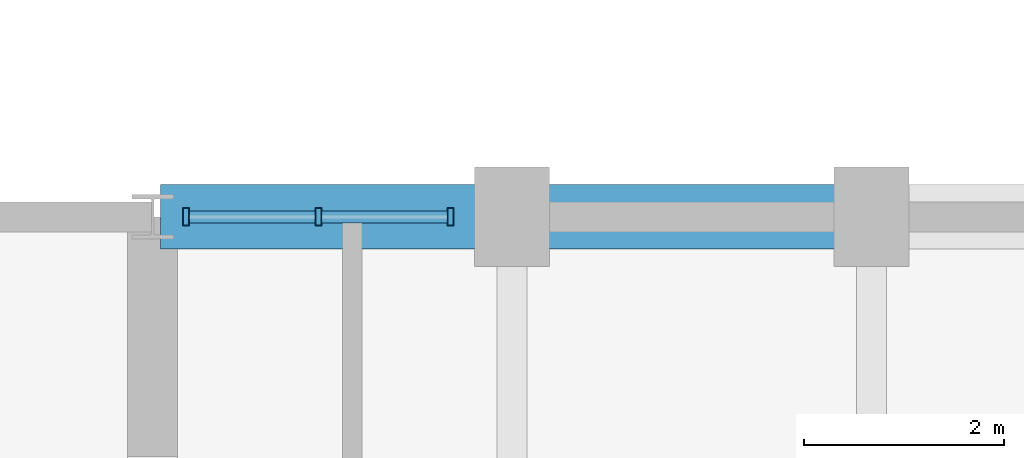
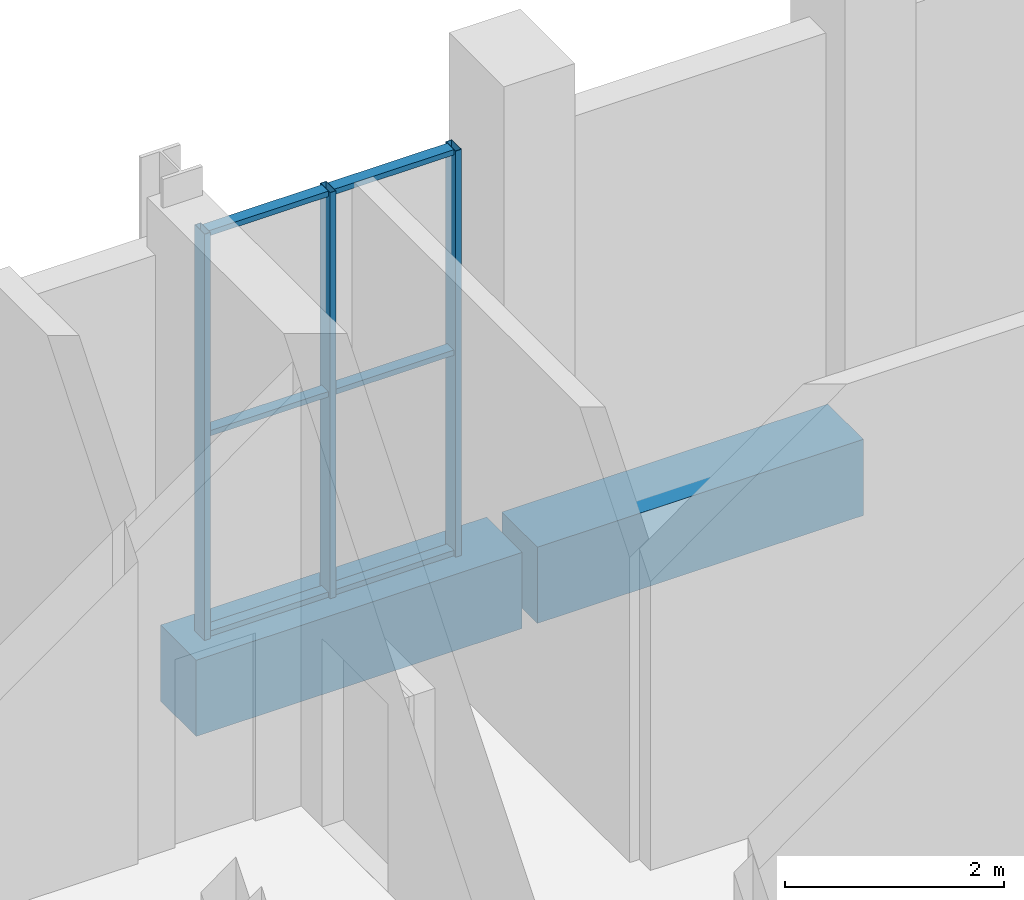
# One storey, part 6 of 19: 9 members, 2 beams, 1 element without a shape of its own.
"""IFC4 building model written with IfcOpenShell, lengths in metres."""

from ifc_helpers import new_model, si_unit, direction, frame, origin, origin_2d, place, context, subcontext, project, spatial, rectangle, hollow_rectangle, extrude, material, layer, layer_set, material_profile, profile_set, type_object, element, aggregate, save


model = new_model("IFC4")

# Units and contexts
model_context = context("Model", 3, precision=1e-05, world=origin(), true_north=direction((0.0, 1.0)))
body_context = subcontext(model_context, "Body", "Model", "MODEL_VIEW")
ifc_project = project(units=[si_unit("LENGTHUNIT", "METRE"), si_unit("AREAUNIT", "SQUARE_METRE"), si_unit("VOLUMEUNIT", "CUBIC_METRE"), si_unit("PLANEANGLEUNIT", "RADIAN"), si_unit("MASSUNIT", "GRAM", prefix="KILO")], contexts=[model_context])

# Site, building, storey
site_placement = place(None, origin())
site = spatial("IfcSite", under=ifc_project, at=site_placement, CompositionType="ELEMENT")
building_placement = place(site_placement, origin())
building = spatial("IfcBuilding", under=site, at=building_placement, Name="Solnavia Interchange Tower", CompositionType="ELEMENT")
storey_placement = place(building_placement, frame((0.0, 0.0, 169.39990234375)))
storey = spatial("IfcBuildingStorey", under=building, at=storey_placement, Name="L42", CompositionType="ELEMENT", Elevation=169.39990234375)

# Beams
ifc_material_1 = material(Name="Concrete C50/60", Category="concrete")
ifc_material_profile_1 = material_profile(ifc_material_1, rectangle(XDim=0.64990234375, YDim=0.85009765625, at=origin_2d()), Name="RC 650x850")
ifc_profile_set_1 = profile_set([ifc_material_profile_1], Name="Concrete C50/60")
beam_type = type_object("IfcBeamType", Name="Beam-Spandrel-RC650x850", PredefinedType="SPANDREL", material=ifc_profile_set_1)
for number, where, z_axis, x_axis, name in (
    (1, (39.52001953125, 25.199951171875, -0.4248046875), (-1.0, 0.0, 0.0), (0.0, -1.0, 0.0), "SPB-L42-23 Framed-tube perimeter spandrel beam"),
    (2, (35.919921875, 25.199951171875, -0.4248046875), (-1.0, 0.0, 0.0), (0.0, -1.0, 0.0), "SPB-L42-24 Framed-tube perimeter spandrel beam"),
):
    element("IfcBeam", number, at=place(storey_placement, frame(where, z_axis=z_axis, x_axis=x_axis)), inside=storey, type_object=beam_type, Name=name, PredefinedType="SPANDREL", context=body_context, shape_type="SweptSolid", body=[
        extrude(rectangle(XDim=0.64990234375, YDim=0.85009765625, at=origin_2d()), origin(), (0.0, 0.0, 1.0), 3.43994140625),
    ])

# Curtain wall, members
ifc_material_2 = material(Name="Aluminium Alloy 6063-T6", Category="aluminium")
ifc_layer = layer(ifc_material_2, 0.199951171875)
ifc_layer_set = layer_set([ifc_layer], Name="Aluminium Alloy 6063-T6")
curtain_wall_type = type_object("IfcCurtainWallType", Name="CurtainWall-Louvre-CTW5", PredefinedType="NOTDEFINED", material=ifc_layer_set)
curtain_wall_placement = place(storey_placement, origin())
curtain_wall = element("IfcCurtainWall", 3, at=curtain_wall_placement, inside=storey, type_object=curtain_wall_type, Name="CTW-L42-L24 CTW-5 curtain wall", PredefinedType="NOTDEFINED")
ifc_material_profile_2 = material_profile(ifc_material_2, hollow_rectangle(XDim=0.06494140625, YDim=0.179931640625, WallThickness=0.00439453125, at=origin_2d()), Name="ALU 180x65x4.5")
ifc_profile_set_2 = profile_set([ifc_material_profile_2], Name="Aluminium Alloy 6063-T6")
member_type_1 = type_object("IfcMemberType", Name="CW-Mullion-CWM-5", PredefinedType="MULLION", material=ifc_profile_set_2)
member_1_placement = place(storey_placement, frame((35.385009765625, 25.199951171875, 0.0), z_axis=(0.0, 0.0, 1.0), x_axis=(-1.0, 0.0, 0.0)))
member_1 = element("IfcMember", 4, at=member_1_placement, type_object=member_type_1, Name="CTW-5 mullion 1", PredefinedType="MULLION", context=body_context, shape_type="SweptSolid", body=[
    extrude(hollow_rectangle(XDim=0.06494140625, YDim=0.179931640625, WallThickness=0.00439453125, at=origin_2d()), origin(), (0.0, 0.0, 1.0), 4.530029296875),
])
member_2_placement = place(storey_placement, frame((34.060546875, 25.199951171875, 0.0), z_axis=(0.0, 0.0, 1.0), x_axis=(-1.0, 0.0, 0.0)))
member_2 = element("IfcMember", 5, at=member_2_placement, type_object=member_type_1, Name="CTW-5 mullion 2", PredefinedType="MULLION", context=body_context, shape_type="SweptSolid", body=[
    extrude(hollow_rectangle(XDim=0.06494140625, YDim=0.179931640625, WallThickness=0.00439453125, at=origin_2d()), origin(), (0.0, 0.0, 1.0), 4.530029296875),
])
member_3_placement = place(storey_placement, frame((32.736083984375, 25.199951171875, 0.0), z_axis=(0.0, 0.0, 1.0), x_axis=(-1.0, 0.0, 0.0)))
member_3 = element("IfcMember", 6, at=member_3_placement, type_object=member_type_1, Name="CTW-5 mullion 3", PredefinedType="MULLION", context=body_context, shape_type="SweptSolid", body=[
    extrude(hollow_rectangle(XDim=0.06494140625, YDim=0.179931640625, WallThickness=0.00439453125, at=origin_2d()), origin(), (0.0, 0.0, 1.0), 4.530029296875),
])
ifc_material_profile_3 = material_profile(ifc_material_2, hollow_rectangle(XDim=0.06005859375, YDim=0.1201171875, WallThickness=0.00390625, at=origin_2d()), Name="ALU 120x60x4")
ifc_profile_set_3 = profile_set([ifc_material_profile_3], Name="Aluminium Alloy 6063-T6")
member_type_2 = type_object("IfcMemberType", Name="CW-Transom-CWT-5", PredefinedType="USERDEFINED", material=ifc_profile_set_3)
member_4_placement = place(storey_placement, frame((35.3525390625, 25.199951171875, 0.030029296875), z_axis=(-1.0, 0.0, 0.0), x_axis=(0.0, 0.0, 1.0)))
member_4 = element("IfcMember", 7, at=member_4_placement, type_object=member_type_2, Name="CTW-5 transom 1.1", ObjectType="TRANSOM", PredefinedType="USERDEFINED", context=body_context, shape_type="SweptSolid", body=[
    extrude(hollow_rectangle(XDim=0.06005859375, YDim=0.1201171875, WallThickness=0.00390625, at=origin_2d()), origin(), (0.0, 0.0, 1.0), 1.259521484375),
])
member_5_placement = place(storey_placement, frame((35.3525390625, 25.199951171875, 2.26513671875), z_axis=(-1.0, 0.0, 0.0), x_axis=(0.0, 0.0, 1.0)))
member_5 = element("IfcMember", 8, at=member_5_placement, type_object=member_type_2, Name="CTW-5 transom 1.2", ObjectType="TRANSOM", PredefinedType="USERDEFINED", context=body_context, shape_type="SweptSolid", body=[
    extrude(hollow_rectangle(XDim=0.06005859375, YDim=0.1201171875, WallThickness=0.00390625, at=origin_2d()), origin(), (0.0, 0.0, 1.0), 1.259521484375),
])
member_6_placement = place(storey_placement, frame((35.3525390625, 25.199951171875, 4.5), z_axis=(-1.0, 0.0, 0.0), x_axis=(0.0, 0.0, 1.0)))
member_6 = element("IfcMember", 9, at=member_6_placement, type_object=member_type_2, Name="CTW-5 transom 1.3", ObjectType="TRANSOM", PredefinedType="USERDEFINED", context=body_context, shape_type="SweptSolid", body=[
    extrude(hollow_rectangle(XDim=0.06005859375, YDim=0.1201171875, WallThickness=0.00390625, at=origin_2d()), origin(), (0.0, 0.0, 1.0), 1.259521484375),
])
member_7_placement = place(storey_placement, frame((34.028076171875, 25.199951171875, 0.030029296875), z_axis=(-1.0, 0.0, 0.0), x_axis=(0.0, 0.0, 1.0)))
member_7 = element("IfcMember", 10, at=member_7_placement, type_object=member_type_2, Name="CTW-5 transom 2.1", ObjectType="TRANSOM", PredefinedType="USERDEFINED", context=body_context, shape_type="SweptSolid", body=[
    extrude(hollow_rectangle(XDim=0.06005859375, YDim=0.1201171875, WallThickness=0.00390625, at=origin_2d()), origin(), (0.0, 0.0, 1.0), 1.259521484375),
])
member_8_placement = place(storey_placement, frame((34.028076171875, 25.199951171875, 2.26513671875), z_axis=(-1.0, 0.0, 0.0), x_axis=(0.0, 0.0, 1.0)))
member_8 = element("IfcMember", 11, at=member_8_placement, type_object=member_type_2, Name="CTW-5 transom 2.2", ObjectType="TRANSOM", PredefinedType="USERDEFINED", context=body_context, shape_type="SweptSolid", body=[
    extrude(hollow_rectangle(XDim=0.06005859375, YDim=0.1201171875, WallThickness=0.00390625, at=origin_2d()), origin(), (0.0, 0.0, 1.0), 1.259521484375),
])
member_9_placement = place(storey_placement, frame((34.028076171875, 25.199951171875, 4.5), z_axis=(-1.0, 0.0, 0.0), x_axis=(0.0, 0.0, 1.0)))
member_9 = element("IfcMember", 12, at=member_9_placement, type_object=member_type_2, Name="CTW-5 transom 2.3", ObjectType="TRANSOM", PredefinedType="USERDEFINED", context=body_context, shape_type="SweptSolid", body=[
    extrude(hollow_rectangle(XDim=0.06005859375, YDim=0.1201171875, WallThickness=0.00390625, at=origin_2d()), origin(), (0.0, 0.0, 1.0), 1.259521484375),
])
aggregate(curtain_wall, [member_1, member_2, member_3, member_4, member_5, member_6, member_7, member_8, member_9])

save(model, "model.ifc")
